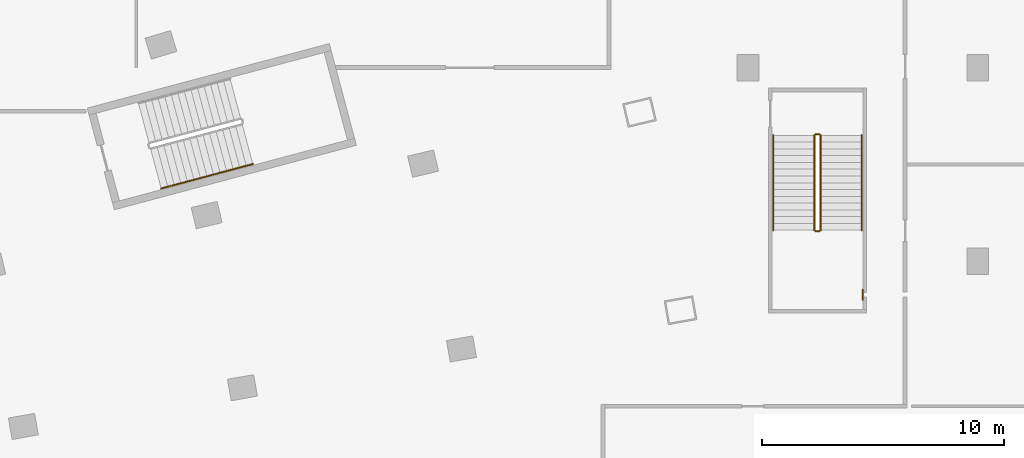
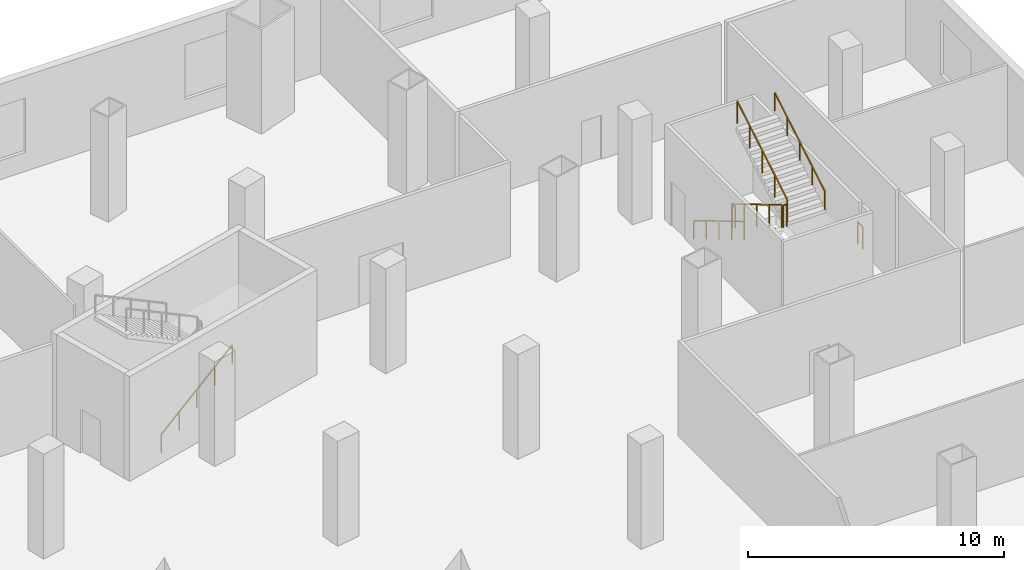
# One storey, part 15 of 15: 8 railings.
"""IFC4 building model written with IfcOpenShell, lengths in metres."""

from ifc_helpers import new_model, si_unit, direction, frame, origin, origin_with_axes, origin_2d, place, context, subcontext, project, spatial, rectangle, extrude, material, type_object, element, save


model = new_model("IFC4")

# Units and contexts
model_context = context("Model", 3, precision=1e-05, world=origin(), true_north=direction((0.0, 1.0)))
body_context = subcontext(model_context, "Body", "Model", "MODEL_VIEW")
ifc_project = project(units=[si_unit("LENGTHUNIT", "METRE"), si_unit("AREAUNIT", "SQUARE_METRE"), si_unit("VOLUMEUNIT", "CUBIC_METRE"), si_unit("PLANEANGLEUNIT", "RADIAN"), si_unit("MASSUNIT", "GRAM", prefix="KILO")], contexts=[model_context])

# Site, building, storey
site_placement = place(None, origin())
site = spatial("IfcSite", under=ifc_project, at=site_placement, CompositionType="ELEMENT")
building_placement = place(site_placement, origin())
building = spatial("IfcBuilding", under=site, at=building_placement, Name="Alderwake Tower", CompositionType="ELEMENT")
storey_placement = place(building_placement, frame((0.0, 0.0, 13.5)))
storey = spatial("IfcBuildingStorey", under=building, at=storey_placement, Name="L02", CompositionType="ELEMENT", Elevation=13.5)

# Railings
ifc_material_1 = material(Name="Stainless steel guard", Category="steel")
railing_type_1 = type_object("IfcRailingType", Name="Stair guard 1100", PredefinedType="GUARDRAIL", material=ifc_material_1)
railing_1_placement = place(storey_placement, frame((66.75, 93.199951171875, 0.166748046875)))
element("IfcRailing", 1, at=railing_1_placement, inside=storey, type_object=railing_type_1, Name="L02 ST-P3 stair guard 1", PredefinedType="GUARDRAIL", context=body_context, shape_type="SweptSolid", body=[
    extrude(rectangle(XDim=0.048095703125, YDim=0.048095703125, at=origin_2d()), frame((0.0, 0.0, 1.076171875), z_axis=(0.0, -0.859296244711, 0.511478214419), x_axis=(1.0, 0.0, 0.0)), (0.0, 0.0, 1.0), 4.561767578125),
    extrude(rectangle(XDim=0.0419921875, YDim=0.0419921875, at=origin_2d()), frame((0.0, 0.0, 0.0), z_axis=(0.0, 0.0, 1.0), x_axis=(0.0, -1.0, 0.0)), (0.0, 0.0, 1.0), 1.052001953125),
    extrude(rectangle(XDim=0.0419921875, YDim=0.0419921875, at=origin_2d()), frame((0.0, -0.97998046875, 0.583251953125), z_axis=(0.0, 0.0, 1.0), x_axis=(0.0, -1.0, 0.0)), (0.0, 0.0, 1.0), 1.052001953125),
    extrude(rectangle(XDim=0.0419921875, YDim=0.0419921875, at=origin_2d()), frame((0.0, -1.9599609375, 1.16650390625), z_axis=(0.0, 0.0, 1.0), x_axis=(0.0, -1.0, 0.0)), (0.0, 0.0, 1.0), 1.052001953125),
    extrude(rectangle(XDim=0.0419921875, YDim=0.0419921875, at=origin_2d()), frame((0.0, -2.93994140625, 1.75), z_axis=(0.0, 0.0, 1.0), x_axis=(0.0, -1.0, 0.0)), (0.0, 0.0, 1.0), 1.052001953125),
    extrude(rectangle(XDim=0.0419921875, YDim=0.0419921875, at=origin_2d()), frame((0.0, -3.919921875, 2.333251953125), z_axis=(0.0, 0.0, 1.0), x_axis=(0.0, -1.0, 0.0)), (0.0, 0.0, 1.0), 1.052001953125),
])
railing_2_placement = place(storey_placement, frame((66.800048828125, 89.22998046875, 2.5)))
element("IfcRailing", 2, at=railing_2_placement, inside=storey, type_object=railing_type_1, Name="L02 ST-P3 stair guard 2", PredefinedType="GUARDRAIL", context=body_context, shape_type="SweptSolid", body=[
    extrude(rectangle(XDim=0.048095703125, YDim=0.048095703125, at=origin_2d()), frame((0.0, 0.0, 1.076171875), z_axis=(1.0, 0.0, 0.0), x_axis=(0.0, 1.0, 0.0)), (0.0, 0.0, 1.0), 0.14990234375),
    extrude(rectangle(XDim=0.0419921875, YDim=0.0419921875, at=origin_2d()), origin_with_axes(), (0.0, 0.0, 1.0), 1.052001953125),
    extrude(rectangle(XDim=0.0419921875, YDim=0.0419921875, at=origin_2d()), frame((0.14990234375, 0.0, 0.0), z_axis=(0.0, 0.0, 1.0), x_axis=(1.0, 0.0, 0.0)), (0.0, 0.0, 1.0), 1.052001953125),
])
railing_3_placement = place(storey_placement, frame((67.0, 89.280029296875, 2.666748046875)))
element("IfcRailing", 3, at=railing_3_placement, inside=storey, type_object=railing_type_1, Name="L02 ST-P3 stair guard 3", PredefinedType="GUARDRAIL", context=body_context, shape_type="SweptSolid", body=[
    extrude(rectangle(XDim=0.048095703125, YDim=0.048095703125, at=origin_2d()), frame((0.0, 0.0, 1.076171875), z_axis=(0.0, 0.859296244711, 0.511478214419), x_axis=(-1.0, 0.0, 0.0)), (0.0, 0.0, 1.0), 4.561767578125),
    extrude(rectangle(XDim=0.0419921875, YDim=0.0419921875, at=origin_2d()), frame((0.0, 0.0, 0.0), z_axis=(0.0, 0.0, 1.0), x_axis=(0.0, 1.0, 0.0)), (0.0, 0.0, 1.0), 1.052001953125),
    extrude(rectangle(XDim=0.0419921875, YDim=0.0419921875, at=origin_2d()), frame((0.0, 0.97998046875, 0.583251953125), z_axis=(0.0, 0.0, 1.0), x_axis=(0.0, 1.0, 0.0)), (0.0, 0.0, 1.0), 1.052001953125),
    extrude(rectangle(XDim=0.0419921875, YDim=0.0419921875, at=origin_2d()), frame((0.0, 1.9599609375, 1.16650390625), z_axis=(0.0, 0.0, 1.0), x_axis=(0.0, 1.0, 0.0)), (0.0, 0.0, 1.0), 1.052001953125),
    extrude(rectangle(XDim=0.0419921875, YDim=0.0419921875, at=origin_2d()), frame((0.0, 2.93994140625, 1.75), z_axis=(0.0, 0.0, 1.0), x_axis=(0.0, 1.0, 0.0)), (0.0, 0.0, 1.0), 1.052001953125),
    extrude(rectangle(XDim=0.0419921875, YDim=0.0419921875, at=origin_2d()), frame((0.0, 3.919921875, 2.333251953125), z_axis=(0.0, 0.0, 1.0), x_axis=(0.0, 1.0, 0.0)), (0.0, 0.0, 1.0), 1.052001953125),
])
railing_4_placement = place(storey_placement, frame((66.800048828125, 93.25, 0.0)))
element("IfcRailing", 4, at=railing_4_placement, inside=storey, type_object=railing_type_1, Name="L02 ST-P3 stair guard 4", PredefinedType="GUARDRAIL", context=body_context, shape_type="SweptSolid", body=[
    extrude(rectangle(XDim=0.048095703125, YDim=0.048095703125, at=origin_2d()), frame((0.0, 0.0, 1.076171875), z_axis=(1.0, 0.0, 0.0), x_axis=(0.0, 1.0, 0.0)), (0.0, 0.0, 1.0), 0.14990234375),
    extrude(rectangle(XDim=0.0419921875, YDim=0.0419921875, at=origin_2d()), origin_with_axes(), (0.0, 0.0, 1.0), 1.052001953125),
    extrude(rectangle(XDim=0.0419921875, YDim=0.0419921875, at=origin_2d()), frame((0.14990234375, 0.0, 0.0), z_axis=(0.0, 0.0, 1.0), x_axis=(1.0, 0.0, 0.0)), (0.0, 0.0, 1.0), 1.052001953125),
])
railing_5_placement = place(storey_placement, frame((68.75, 86.410888671875, 2.5)))
element("IfcRailing", 5, at=railing_5_placement, inside=storey, type_object=railing_type_1, Name="L02 landing guard ST-P3.L1", PredefinedType="GUARDRAIL", context=body_context, shape_type="SweptSolid", body=[
    extrude(rectangle(XDim=0.048095703125, YDim=0.048095703125, at=origin_2d()), frame((0.0, 0.0, 1.076171875), z_axis=(0.0, 1.0, 0.0), x_axis=(-1.0, 0.0, 0.0)), (0.0, 0.0, 1.0), 0.39599609375),
    extrude(rectangle(XDim=0.0419921875, YDim=0.0419921875, at=origin_2d()), frame((0.0, 0.0, 0.0), z_axis=(0.0, 0.0, 1.0), x_axis=(0.0, 1.0, 0.0)), (0.0, 0.0, 1.0), 1.052001953125),
    extrude(rectangle(XDim=0.0419921875, YDim=0.0419921875, at=origin_2d()), frame((0.0, 0.39599609375, 0.0), z_axis=(0.0, 0.0, 1.0), x_axis=(0.0, 1.0, 0.0)), (0.0, 0.0, 1.0), 1.052001953125),
])
ifc_material_2 = material(Name="Stainless steel handrail", Category="steel")
railing_type_2 = type_object("IfcRailingType", Name="Stair handrail 900", PredefinedType="HANDRAIL", material=ifc_material_2)
railing_6_placement = place(storey_placement, frame((39.731689453125, 91.002685546875, 0.166748046875)))
element("IfcRailing", 6, at=railing_6_placement, inside=storey, type_object=railing_type_2, Name="L02 ST-A stair handrail 1", PredefinedType="HANDRAIL", context=body_context, shape_type="SweptSolid", body=[
    extrude(rectangle(XDim=0.048095703125, YDim=0.048095703125, at=origin_2d()), frame((0.0, 0.0, 0.8759765625), z_axis=(0.830350342251, 0.221141322216, 0.511482966219), x_axis=(-0.25735251548, 0.966317588982, 0.0)), (0.0, 0.0, 1.0), 4.561767578125),
    extrude(rectangle(XDim=0.0419921875, YDim=0.0419921875, at=origin_2d()), frame((0.0, 0.0, 0.0), z_axis=(0.0, 0.0, 1.0), x_axis=(0.966317588982, 0.25735251548, 0.0)), (0.0, 0.0, 1.0), 0.851806640625),
    extrude(rectangle(XDim=0.0419921875, YDim=0.0419921875, at=origin_2d()), frame((0.947021484375, 0.252197265625, 0.583251953125), z_axis=(0.0, 0.0, 1.0), x_axis=(0.966317588982, 0.25735251548, 0.0)), (0.0, 0.0, 1.0), 0.851806640625),
    extrude(rectangle(XDim=0.0419921875, YDim=0.0419921875, at=origin_2d()), frame((1.89404296875, 0.50439453125, 1.16650390625), z_axis=(0.0, 0.0, 1.0), x_axis=(0.966317588982, 0.25735251548, 0.0)), (0.0, 0.0, 1.0), 0.851806640625),
    extrude(rectangle(XDim=0.0419921875, YDim=0.0419921875, at=origin_2d()), frame((2.8408203125, 0.756591796875, 1.75), z_axis=(0.0, 0.0, 1.0), x_axis=(0.966317588982, 0.25735251548, 0.0)), (0.0, 0.0, 1.0), 0.851806640625),
    extrude(rectangle(XDim=0.0419921875, YDim=0.0419921875, at=origin_2d()), frame((3.787841796875, 1.0087890625, 2.333251953125), z_axis=(0.0, 0.0, 1.0), x_axis=(0.966317588982, 0.25735251548, 0.0)), (0.0, 0.0, 1.0), 0.851806640625),
])
railing_7_placement = place(storey_placement, frame((65.050048828125, 93.199951171875, 0.166748046875)))
element("IfcRailing", 7, at=railing_7_placement, inside=storey, type_object=railing_type_2, Name="L02 ST-P3 stair handrail 1", PredefinedType="HANDRAIL", context=body_context, shape_type="SweptSolid", body=[
    extrude(rectangle(XDim=0.048095703125, YDim=0.048095703125, at=origin_2d()), frame((0.0, 0.0, 0.8759765625), z_axis=(0.0, -0.859296244711, 0.511478214419), x_axis=(1.0, 0.0, 0.0)), (0.0, 0.0, 1.0), 4.561767578125),
    extrude(rectangle(XDim=0.0419921875, YDim=0.0419921875, at=origin_2d()), frame((0.0, 0.0, 0.0), z_axis=(0.0, 0.0, 1.0), x_axis=(0.0, -1.0, 0.0)), (0.0, 0.0, 1.0), 0.851806640625),
    extrude(rectangle(XDim=0.0419921875, YDim=0.0419921875, at=origin_2d()), frame((0.0, -0.97998046875, 0.583251953125), z_axis=(0.0, 0.0, 1.0), x_axis=(0.0, -1.0, 0.0)), (0.0, 0.0, 1.0), 0.851806640625),
    extrude(rectangle(XDim=0.0419921875, YDim=0.0419921875, at=origin_2d()), frame((0.0, -1.9599609375, 1.16650390625), z_axis=(0.0, 0.0, 1.0), x_axis=(0.0, -1.0, 0.0)), (0.0, 0.0, 1.0), 0.851806640625),
    extrude(rectangle(XDim=0.0419921875, YDim=0.0419921875, at=origin_2d()), frame((0.0, -2.93994140625, 1.75), z_axis=(0.0, 0.0, 1.0), x_axis=(0.0, -1.0, 0.0)), (0.0, 0.0, 1.0), 0.851806640625),
    extrude(rectangle(XDim=0.0419921875, YDim=0.0419921875, at=origin_2d()), frame((0.0, -3.919921875, 2.333251953125), z_axis=(0.0, 0.0, 1.0), x_axis=(0.0, -1.0, 0.0)), (0.0, 0.0, 1.0), 0.851806640625),
])
railing_8_placement = place(storey_placement, frame((68.699951171875, 89.280029296875, 2.666748046875)))
element("IfcRailing", 8, at=railing_8_placement, inside=storey, type_object=railing_type_2, Name="L02 ST-P3 stair handrail 2", PredefinedType="HANDRAIL", context=body_context, shape_type="SweptSolid", body=[
    extrude(rectangle(XDim=0.048095703125, YDim=0.048095703125, at=origin_2d()), frame((0.0, 0.0, 0.8759765625), z_axis=(0.0, 0.859296244711, 0.511478214419), x_axis=(-1.0, 0.0, 0.0)), (0.0, 0.0, 1.0), 4.561767578125),
    extrude(rectangle(XDim=0.0419921875, YDim=0.0419921875, at=origin_2d()), frame((0.0, 0.0, 0.0), z_axis=(0.0, 0.0, 1.0), x_axis=(0.0, 1.0, 0.0)), (0.0, 0.0, 1.0), 0.851806640625),
    extrude(rectangle(XDim=0.0419921875, YDim=0.0419921875, at=origin_2d()), frame((0.0, 0.97998046875, 0.583251953125), z_axis=(0.0, 0.0, 1.0), x_axis=(0.0, 1.0, 0.0)), (0.0, 0.0, 1.0), 0.851806640625),
    extrude(rectangle(XDim=0.0419921875, YDim=0.0419921875, at=origin_2d()), frame((0.0, 1.9599609375, 1.16650390625), z_axis=(0.0, 0.0, 1.0), x_axis=(0.0, 1.0, 0.0)), (0.0, 0.0, 1.0), 0.851806640625),
    extrude(rectangle(XDim=0.0419921875, YDim=0.0419921875, at=origin_2d()), frame((0.0, 2.93994140625, 1.75), z_axis=(0.0, 0.0, 1.0), x_axis=(0.0, 1.0, 0.0)), (0.0, 0.0, 1.0), 0.851806640625),
    extrude(rectangle(XDim=0.0419921875, YDim=0.0419921875, at=origin_2d()), frame((0.0, 3.919921875, 2.333251953125), z_axis=(0.0, 0.0, 1.0), x_axis=(0.0, 1.0, 0.0)), (0.0, 0.0, 1.0), 0.851806640625),
])

save(model, "model.ifc")
